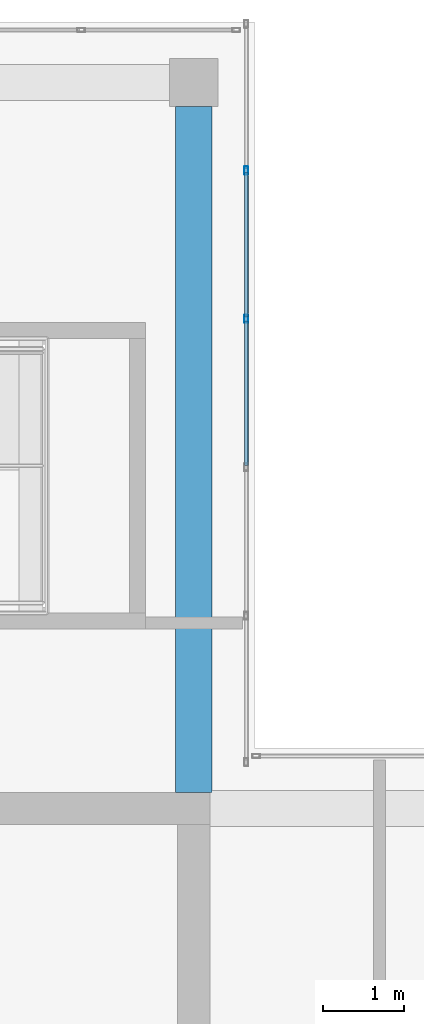
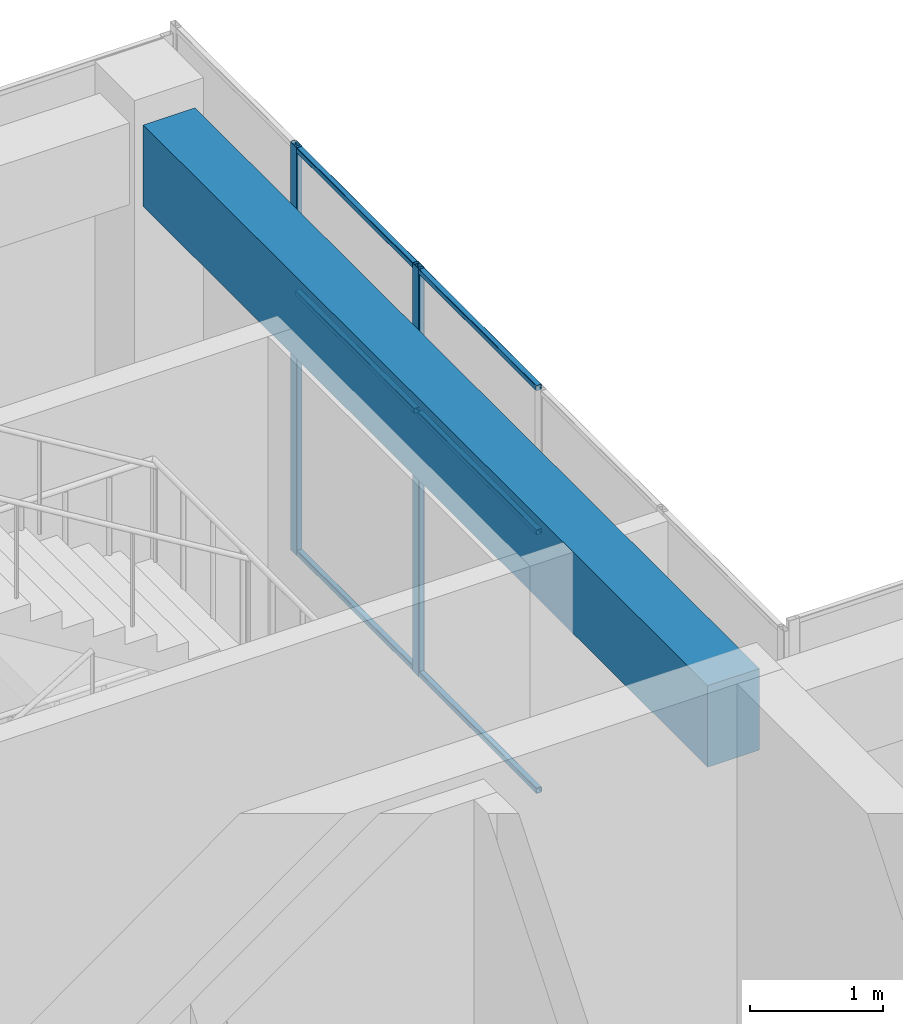
# One storey, part 27 of 35: 8 members, 1 beam, 1 element without a shape of its own.
"""IFC4 building model written with IfcOpenShell, lengths in metres."""

from ifc_helpers import new_model, si_unit, direction, frame, origin, origin_2d, place, context, subcontext, project, spatial, rectangle, hollow_rectangle, extrude, material, layer, layer_set, material_profile, profile_set, type_object, element, aggregate, save


model = new_model("IFC4")

# Units and contexts
model_context = context("Model", 3, precision=1e-05, world=origin(), true_north=direction((0.0, 1.0)))
body_context = subcontext(model_context, "Body", "Model", "MODEL_VIEW")
ifc_project = project(units=[si_unit("LENGTHUNIT", "METRE"), si_unit("AREAUNIT", "SQUARE_METRE"), si_unit("VOLUMEUNIT", "CUBIC_METRE"), si_unit("PLANEANGLEUNIT", "RADIAN"), si_unit("MASSUNIT", "GRAM", prefix="KILO")], contexts=[model_context])

# Site, building, storey
site_placement = place(None, origin())
site = spatial("IfcSite", under=ifc_project, at=site_placement, CompositionType="ELEMENT")
building_placement = place(site_placement, origin())
building = spatial("IfcBuilding", under=site, at=building_placement, Name="Tuart Plaza Theatre", CompositionType="ELEMENT")
storey_placement = place(building_placement, frame((0.0, 0.0, 45.5)))
storey = spatial("IfcBuildingStorey", under=building, at=storey_placement, Name="L11", CompositionType="ELEMENT", Elevation=45.5)

# Beam
ifc_material_1 = material(Name="Concrete N40 (40 MPa)", Category="concrete")
ifc_material_profile_1 = material_profile(ifc_material_1, rectangle(XDim=0.449951171875, YDim=0.75, at=origin_2d()), Name="BEAM 450x750 Concrete N40 (40 MPa)")
ifc_profile_set_1 = profile_set([ifc_material_profile_1], Name="Concrete N40 (40 MPa)")
beam_type = type_object("IfcBeamType", Name="BEAM 450x750 Concrete N40 (40 MPa)", PredefinedType="BEAM", material=ifc_profile_set_1)
beam_placement = place(storey_placement, frame((141.0, 83.199951171875, 3.375), z_axis=(0.0, 1.0, 0.0), x_axis=(-1.0, 0.0, 0.0)))
element("IfcBeam", 1, at=beam_placement, inside=storey, type_object=beam_type, Name="RB305", PredefinedType="BEAM", context=body_context, shape_type="SweptSolid", body=[
    extrude(rectangle(XDim=0.449951171875, YDim=0.75, at=origin_2d()), origin(), (0.0, 0.0, 1.0), 8.5),
])

# Curtain wall, members
ifc_material_2 = material(Name="Aluminium and glass", Category="aluminium")
ifc_layer = layer(ifc_material_2, 0.10009765625)
ifc_layer_set = layer_set([ifc_layer], Name="CURTAIN WALL 2000 module")
curtain_wall_type = type_object("IfcCurtainWallType", Name="CURTAIN WALL 2000 module", PredefinedType="NOTDEFINED", material=ifc_layer_set)
curtain_wall_placement = place(storey_placement, origin())
curtain_wall = element("IfcCurtainWall", 2, at=curtain_wall_placement, inside=storey, type_object=curtain_wall_type, Name="CW104", PredefinedType="NOTDEFINED")
ifc_material_3 = material(Name="Aluminium 6063-T5", Category="aluminium")
ifc_material_profile_2 = material_profile(ifc_material_3, hollow_rectangle(XDim=0.050048828125, YDim=0.10009765625, WallThickness=0.00390625, InnerFilletRadius=0.00390625, OuterFilletRadius=0.008056640625, at=origin_2d()), Name="RHS 100x50x4")
ifc_profile_set_2 = profile_set([ifc_material_profile_2], Name="Aluminium 6063-T5")
member_type_1 = type_object("IfcMemberType", Name="MULLION RHS 100x50x4", PredefinedType="MULLION", material=ifc_profile_set_2)
member_1_placement = place(storey_placement, frame((141.64990234375, 89.070068359375, 0.0), z_axis=(0.0, 0.0, 1.0), x_axis=(-1.0, 0.0, 0.0)))
member_1 = element("IfcMember", 3, at=member_1_placement, type_object=member_type_1, Name="CW104 mullion 4", PredefinedType="MULLION", context=body_context, shape_type="SweptSolid", body=[
    extrude(hollow_rectangle(XDim=0.050048828125, YDim=0.10009765625, WallThickness=0.00390625, InnerFilletRadius=0.00390625, OuterFilletRadius=0.008056640625, at=origin_2d()), origin(), (0.0, 0.0, 1.0), 3.75),
])
member_2_placement = place(storey_placement, frame((141.64990234375, 90.909912109375, 0.0), z_axis=(0.0, 0.0, 1.0), x_axis=(-1.0, 0.0, 0.0)))
member_2 = element("IfcMember", 4, at=member_2_placement, type_object=member_type_1, Name="CW104 mullion 5", PredefinedType="MULLION", context=body_context, shape_type="SweptSolid", body=[
    extrude(hollow_rectangle(XDim=0.050048828125, YDim=0.10009765625, WallThickness=0.00390625, InnerFilletRadius=0.00390625, OuterFilletRadius=0.008056640625, at=origin_2d()), origin(), (0.0, 0.0, 1.0), 3.75),
])
ifc_material_4 = material(Name="Aluminium 6063-T5", Category="aluminium")
ifc_material_profile_3 = material_profile(ifc_material_4, hollow_rectangle(XDim=0.050048828125, YDim=0.050048828125, WallThickness=0.00390625, InnerFilletRadius=0.00390625, OuterFilletRadius=0.008056640625, at=origin_2d()), Name="RHS 50x50x4")
ifc_profile_set_3 = profile_set([ifc_material_profile_3], Name="Aluminium 6063-T5")
member_type_2 = type_object("IfcMemberType", Name="TRANSOM RHS 50x50x4", PredefinedType="USERDEFINED", material=ifc_profile_set_3)
member_3_placement = place(storey_placement, frame((141.64990234375, 87.2548828125, 0.02490234375), z_axis=(0.0, 1.0, 0.0), x_axis=(-1.0, 0.0, 0.0)))
member_3 = element("IfcMember", 5, at=member_3_placement, type_object=member_type_2, Name="CW104 transom 3.1", ObjectType="TRANSOM", PredefinedType="USERDEFINED", context=body_context, shape_type="SweptSolid", body=[
    extrude(hollow_rectangle(XDim=0.050048828125, YDim=0.050048828125, WallThickness=0.00390625, InnerFilletRadius=0.00390625, OuterFilletRadius=0.008056640625, at=origin_2d()), origin(), (0.0, 0.0, 1.0), 1.7900390625),
])
member_4_placement = place(storey_placement, frame((141.64990234375, 87.2548828125, 2.39990234375), z_axis=(0.0, 1.0, 0.0), x_axis=(-1.0, 0.0, 0.0)))
member_4 = element("IfcMember", 6, at=member_4_placement, type_object=member_type_2, Name="CW104 transom 3.2", ObjectType="TRANSOM", PredefinedType="USERDEFINED", context=body_context, shape_type="SweptSolid", body=[
    extrude(hollow_rectangle(XDim=0.050048828125, YDim=0.050048828125, WallThickness=0.00390625, InnerFilletRadius=0.00390625, OuterFilletRadius=0.008056640625, at=origin_2d()), origin(), (0.0, 0.0, 1.0), 1.7900390625),
])
member_5_placement = place(storey_placement, frame((141.64990234375, 87.2548828125, 3.72509765625), z_axis=(0.0, 1.0, 0.0), x_axis=(-1.0, 0.0, 0.0)))
member_5 = element("IfcMember", 7, at=member_5_placement, type_object=member_type_2, Name="CW104 transom 3.3", ObjectType="TRANSOM", PredefinedType="USERDEFINED", context=body_context, shape_type="SweptSolid", body=[
    extrude(hollow_rectangle(XDim=0.050048828125, YDim=0.050048828125, WallThickness=0.00390625, InnerFilletRadius=0.00390625, OuterFilletRadius=0.008056640625, at=origin_2d()), origin(), (0.0, 0.0, 1.0), 1.7900390625),
])
member_6_placement = place(storey_placement, frame((141.64990234375, 89.094970703125, 0.02490234375), z_axis=(0.0, 1.0, 0.0), x_axis=(-1.0, 0.0, 0.0)))
member_6 = element("IfcMember", 8, at=member_6_placement, type_object=member_type_2, Name="CW104 transom 4.1", ObjectType="TRANSOM", PredefinedType="USERDEFINED", context=body_context, shape_type="SweptSolid", body=[
    extrude(hollow_rectangle(XDim=0.050048828125, YDim=0.050048828125, WallThickness=0.00390625, InnerFilletRadius=0.00390625, OuterFilletRadius=0.008056640625, at=origin_2d()), origin(), (0.0, 0.0, 1.0), 1.7900390625),
])
member_7_placement = place(storey_placement, frame((141.64990234375, 89.094970703125, 2.39990234375), z_axis=(0.0, 1.0, 0.0), x_axis=(-1.0, 0.0, 0.0)))
member_7 = element("IfcMember", 9, at=member_7_placement, type_object=member_type_2, Name="CW104 transom 4.2", ObjectType="TRANSOM", PredefinedType="USERDEFINED", context=body_context, shape_type="SweptSolid", body=[
    extrude(hollow_rectangle(XDim=0.050048828125, YDim=0.050048828125, WallThickness=0.00390625, InnerFilletRadius=0.00390625, OuterFilletRadius=0.008056640625, at=origin_2d()), origin(), (0.0, 0.0, 1.0), 1.7900390625),
])
member_8_placement = place(storey_placement, frame((141.64990234375, 89.094970703125, 3.72509765625), z_axis=(0.0, 1.0, 0.0), x_axis=(-1.0, 0.0, 0.0)))
member_8 = element("IfcMember", 10, at=member_8_placement, type_object=member_type_2, Name="CW104 transom 4.3", ObjectType="TRANSOM", PredefinedType="USERDEFINED", context=body_context, shape_type="SweptSolid", body=[
    extrude(hollow_rectangle(XDim=0.050048828125, YDim=0.050048828125, WallThickness=0.00390625, InnerFilletRadius=0.00390625, OuterFilletRadius=0.008056640625, at=origin_2d()), origin(), (0.0, 0.0, 1.0), 1.7900390625),
])
aggregate(curtain_wall, [member_1, member_2, member_3, member_4, member_5, member_6, member_7, member_8])

save(model, "model.ifc")
